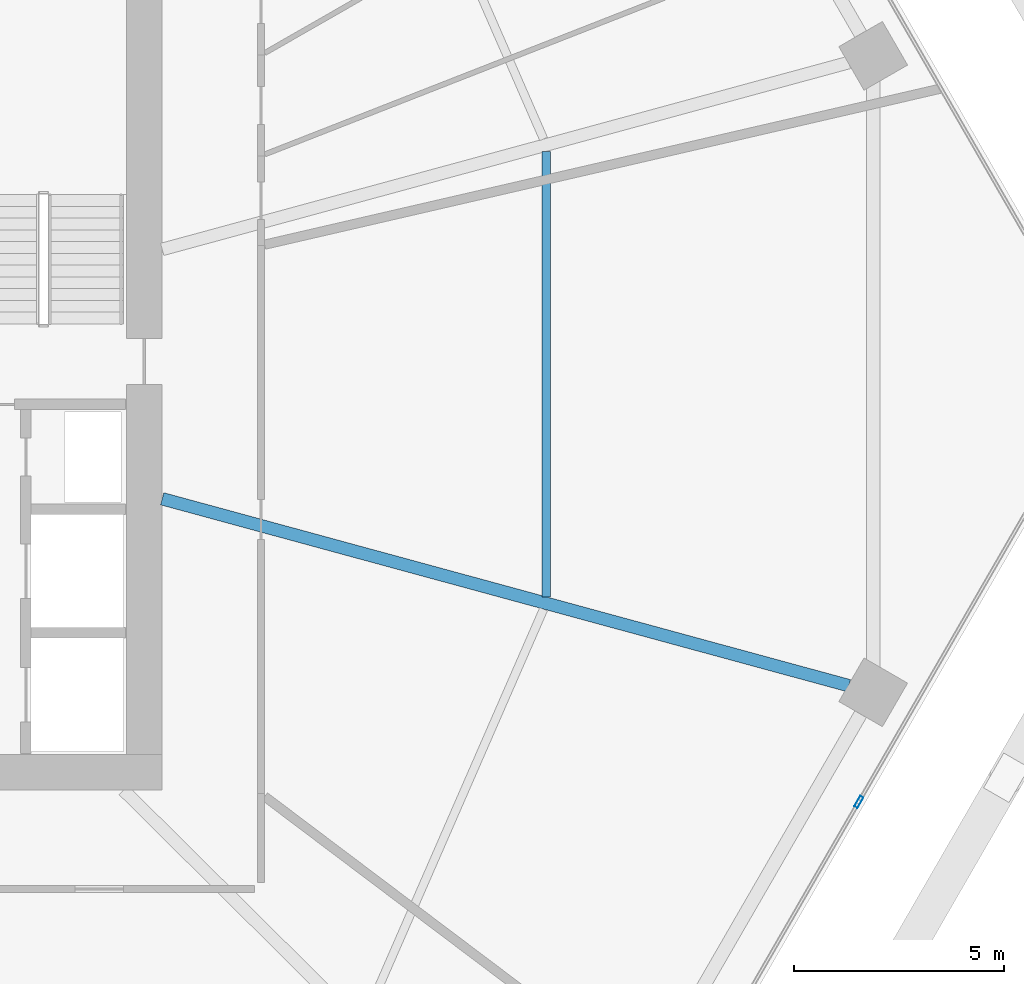
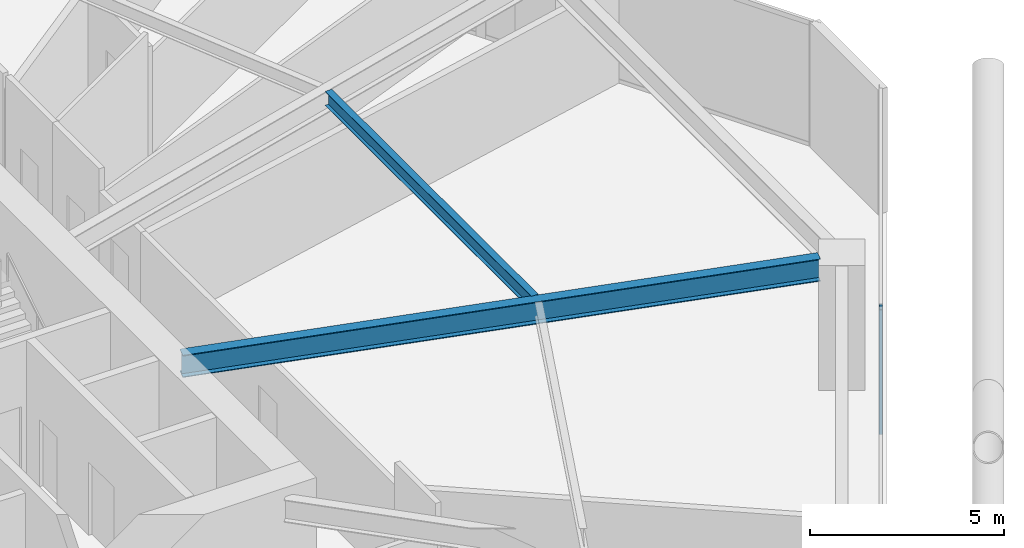
# One storey, part 11 of 28: 2 beams, 1 member, 1 element without a shape of its own.
"""IFC4 building model written with IfcOpenShell, lengths in metres."""

from ifc_helpers import new_model, si_unit, direction, frame, origin, origin_2d, place, context, subcontext, project, spatial, hollow_rectangle, i_section, extrude, material, material_profile, profile_set, type_object, element, aggregate, save


model = new_model("IFC4")

# Units and contexts
model_context = context("Model", 3, precision=1e-05, world=origin(), true_north=direction((0.0, 1.0)))
body_context = subcontext(model_context, "Body", "Model", "MODEL_VIEW")
ifc_project = project(units=[si_unit("LENGTHUNIT", "METRE"), si_unit("AREAUNIT", "SQUARE_METRE"), si_unit("VOLUMEUNIT", "CUBIC_METRE"), si_unit("PLANEANGLEUNIT", "RADIAN"), si_unit("MASSUNIT", "GRAM", prefix="KILO")], contexts=[model_context])

# Site, building, storey
site_placement = place(None, origin())
site = spatial("IfcSite", under=ifc_project, at=site_placement, CompositionType="ELEMENT")
building_placement = place(site_placement, origin())
building = spatial("IfcBuilding", under=site, at=building_placement, Name="Zuhravey Tower", CompositionType="ELEMENT")
storey_placement = place(building_placement, frame((0.0, 0.0, 49.800048828125)))
storey = spatial("IfcBuildingStorey", under=building, at=storey_placement, Name="L12", CompositionType="ELEMENT", Elevation=49.800048828125)

# Curtain wall, member
ifc_material_1 = material(Name="Thermally broken anodised aluminium", Category="aluminium")
curtain_wall_type = type_object("IfcCurtainWallType", Name="School Low-E Unitised Curtain Wall CW1", PredefinedType="NOTDEFINED", material=ifc_material_1)
curtain_wall_placement = place(storey_placement, origin())
curtain_wall = element("IfcCurtainWall", 1, at=curtain_wall_placement, inside=storey, type_object=curtain_wall_type, Name="L12 CW1 CW-L12-F6-1", PredefinedType="NOTDEFINED")
ifc_material_2 = material(Name="Anodised aluminium", Category="aluminium")
ifc_material_profile_1 = material_profile(ifc_material_2, hollow_rectangle(XDim=0.090087890625, YDim=0.284912109375, WallThickness=0.0048828125, at=origin_2d()), Name="ALU-RHS-90x285x5")
ifc_profile_set_1 = profile_set([ifc_material_profile_1], Name="Anodised aluminium")
member_type = type_object("IfcMemberType", Name="Curtain-Wall Mullion 90x180", PredefinedType="MULLION", material=ifc_profile_set_1)
member_placement = place(storey_placement, frame((63.54541015625, 21.79296875, 0.0), z_axis=(0.0, 0.0, 1.0), x_axis=(0.86602552265, -0.499999794119, 0.0)))
member = element("IfcMember", 2, at=member_placement, type_object=member_type, Name="CW1 mullion 2", PredefinedType="MULLION", context=body_context, shape_type="SweptSolid", body=[
    extrude(hollow_rectangle(XDim=0.090087890625, YDim=0.284912109375, WallThickness=0.0048828125, at=origin_2d()), origin(), (0.0, 0.0, 1.0), 3.919921875),
])
aggregate(curtain_wall, [member])

# Beams
ifc_material_3 = material(Name="Steel SM355", Category="steel")
ifc_material_profile_2 = material_profile(ifc_material_3, i_section(OverallWidth=0.300048828125, OverallDepth=0.699951171875, WebThickness=0.012939453125, FlangeThickness=0.02392578125, at=origin_2d()), Name="H-700x300x13x24")
ifc_profile_set_2 = profile_set([ifc_material_profile_2], Name="Steel SM355")
beam_type_1 = type_object("IfcBeamType", Name="Radial Primary Girder H700x300", PredefinedType="BEAM", material=ifc_profile_set_2)
beam_1_placement = place(storey_placement, frame((46.927978515625, 29.025390625, 3.570068359375), z_axis=(0.964892480455, -0.26264520015, 0.0), x_axis=(0.26264520015, 0.964892480455, 0.0)))
element("IfcBeam", 3, at=beam_1_placement, inside=storey, type_object=beam_type_1, Name="L12 RG1 BM-L12-RAD-12", PredefinedType="BEAM", context=body_context, shape_type="SweptSolid", body=[
    extrude(i_section(OverallWidth=0.300048828125, OverallDepth=0.699951171875, WebThickness=0.012939453125, FlangeThickness=0.02392578125, at=origin_2d()), origin(), (0.0, 0.0, 1.0), 16.975341796875),
])
ifc_material_profile_3 = material_profile(ifc_material_3, i_section(OverallWidth=0.199951171875, OverallDepth=0.449951171875, WebThickness=0.009033203125, FlangeThickness=0.013916015625, at=origin_2d()), Name="H-450x200x9x14")
ifc_profile_set_3 = profile_set([ifc_material_profile_3], Name="Steel SM355")
beam_type_2 = type_object("IfcBeamType", Name="Secondary Floor Joist H450x200", PredefinedType="JOIST", material=ifc_profile_set_3)
beam_2_placement = place(storey_placement, frame((56.0869140625, 26.686279296875, 3.695068359375), z_axis=(0.0, 1.0, 0.0), x_axis=(-1.0, 0.0, 0.0)))
element("IfcBeam", 4, at=beam_2_placement, inside=storey, type_object=beam_type_2, Name="L12 SJ1 BM-L12-SJ-12-1", PredefinedType="JOIST", context=body_context, shape_type="SweptSolid", body=[
    extrude(i_section(OverallWidth=0.199951171875, OverallDepth=0.449951171875, WebThickness=0.009033203125, FlangeThickness=0.013916015625, at=origin_2d()), origin(), (0.0, 0.0, 1.0), 10.62744140625),
])

save(model, "model.ifc")
